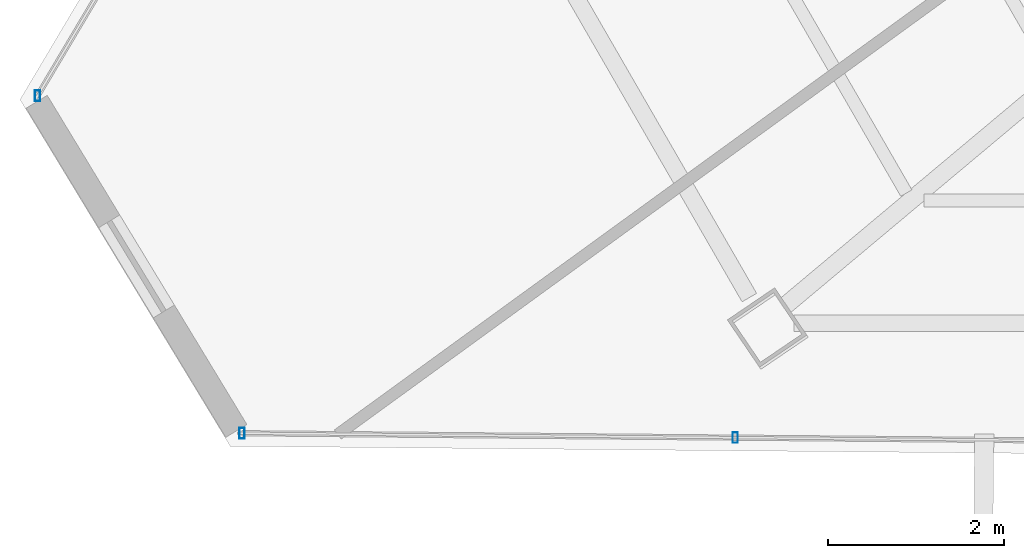
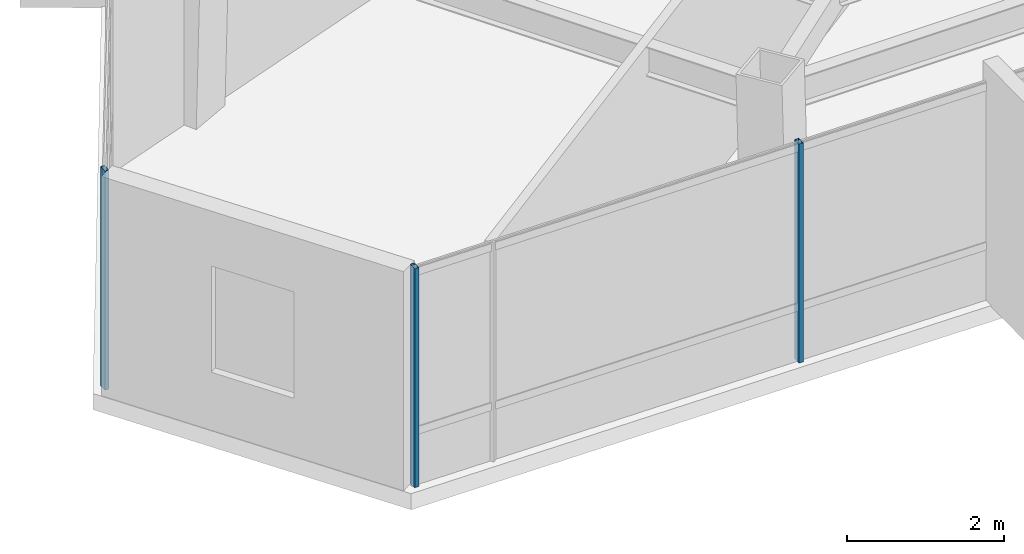
# One storey, part 3 of 46: 3 members, 2 elements without a shape of their own.
"""IFC4 building model written with IfcOpenShell, lengths in metres."""

from ifc_helpers import new_model, si_unit, direction, frame, origin, origin_2d, place, context, subcontext, project, spatial, hollow_rectangle, extrude, source, transform, mapped, material, material_profile, profile_set, type_object, type_shapes, element, aggregate, save


model = new_model("IFC4")

# Units and contexts
model_context = context("Model", 3, precision=1e-05, world=origin(), true_north=direction((0.0, 1.0)))
body_context = subcontext(model_context, "Body", "Model", "MODEL_VIEW")
ifc_project = project(units=[si_unit("LENGTHUNIT", "METRE"), si_unit("AREAUNIT", "SQUARE_METRE"), si_unit("VOLUMEUNIT", "CUBIC_METRE"), si_unit("PLANEANGLEUNIT", "RADIAN"), si_unit("MASSUNIT", "GRAM", prefix="KILO")], contexts=[model_context])

# Site, building, storey
site_placement = place(None, origin())
site = spatial("IfcSite", under=ifc_project, at=site_placement, CompositionType="ELEMENT")
building_placement = place(site_placement, origin())
building = spatial("IfcBuilding", under=site, at=building_placement, Name="Caelisora Broadcast Tower", CompositionType="ELEMENT")
storey_placement = place(building_placement, frame((0.0, 0.0, 237.14990234375)))
storey = spatial("IfcBuildingStorey", under=building, at=storey_placement, Name="L62", CompositionType="ELEMENT", Elevation=237.14990234375)

# Curtain wall, members
ifc_material_1 = material(Name="Unitised Aluminium and Low-E Glass Curtain Wall", Category="glass")
curtain_wall_type = type_object("IfcCurtainWallType", Name="CW-Z5", PredefinedType="NOTDEFINED", material=ifc_material_1)
curtain_wall_1_placement = place(storey_placement, origin())
curtain_wall_1 = element("IfcCurtainWall", 1, at=curtain_wall_1_placement, inside=storey, type_object=curtain_wall_type, Name="L62 curtain wall CW-Z5", PredefinedType="NOTDEFINED")
ifc_material_2 = material(Name="Aluminium 6063-T6 Anodised Terracotta Bronze", Category="aluminium")
ifc_material_profile = material_profile(ifc_material_2, hollow_rectangle(XDim=0.06005859375, YDim=0.1201171875, WallThickness=0.0029296875, at=origin_2d()), Name="Aluminium 6063-T6 Anodised Terracotta Bronze")
ifc_profile_set = profile_set([ifc_material_profile], Name="Aluminium 6063-T6 Anodised Terracotta Bronze")
member_type = type_object("IfcMemberType", Name="CWM-04", PredefinedType="MULLION", material=ifc_profile_set)
shared_shape = source(origin(), body_context, "Body", "SweptSolid", [
    extrude(hollow_rectangle(XDim=0.06005859375, YDim=0.1201171875, WallThickness=0.0029296875, at=origin_2d()), origin(), (0.0, 0.0, 1.0), 3.400146484375),
])
type_shapes(member_type, [shared_shape])
member_1_placement = place(storey_placement, frame((20.16650390625, 7.721435546875, 0.0), z_axis=(0.0, 0.0, 1.0), x_axis=(1.0, 0.0, 0.0)))
member_1 = element("IfcMember", 2, at=member_1_placement, type_object=member_type, Name="L62-CW-B07 mullion #2", PredefinedType="MULLION", context=body_context, shape_type="MappedRepresentation", body=[
    mapped(shared_shape, transform((0.0, 0.0, 0.0), scale=1.0)),
])
member_2_placement = place(storey_placement, frame((14.554931640625, 7.771484375, 0.0), z_axis=(0.0, 0.0, 1.0), x_axis=(1.0, 0.0, 0.0)))
member_2 = element("IfcMember", 3, at=member_2_placement, type_object=member_type, Name="L62-CW-B07 mullion #3", PredefinedType="MULLION", context=body_context, shape_type="MappedRepresentation", body=[
    mapped(shared_shape, transform((0.0, 0.0, 0.0), scale=1.0)),
])
aggregate(curtain_wall_1, [member_1, member_2])

# Curtain wall, member
curtain_wall_2_placement = place(storey_placement, origin())
curtain_wall_2 = element("IfcCurtainWall", 4, at=curtain_wall_2_placement, inside=storey, type_object=curtain_wall_type, Name="L62 curtain wall CW-Z5", PredefinedType="NOTDEFINED")
member_3_placement = place(storey_placement, frame((12.2275390625, 11.612060546875, 0.0), z_axis=(0.0, 0.0, 1.0), x_axis=(1.0, 0.0, 0.0)))
member_3 = element("IfcMember", 5, at=member_3_placement, type_object=member_type, Name="L62-CW-B09 mullion #0", PredefinedType="MULLION", context=body_context, shape_type="MappedRepresentation", body=[
    mapped(shared_shape, transform((0.0, 0.0, 0.0), scale=1.0)),
])
aggregate(curtain_wall_2, [member_3])

save(model, "model.ifc")
